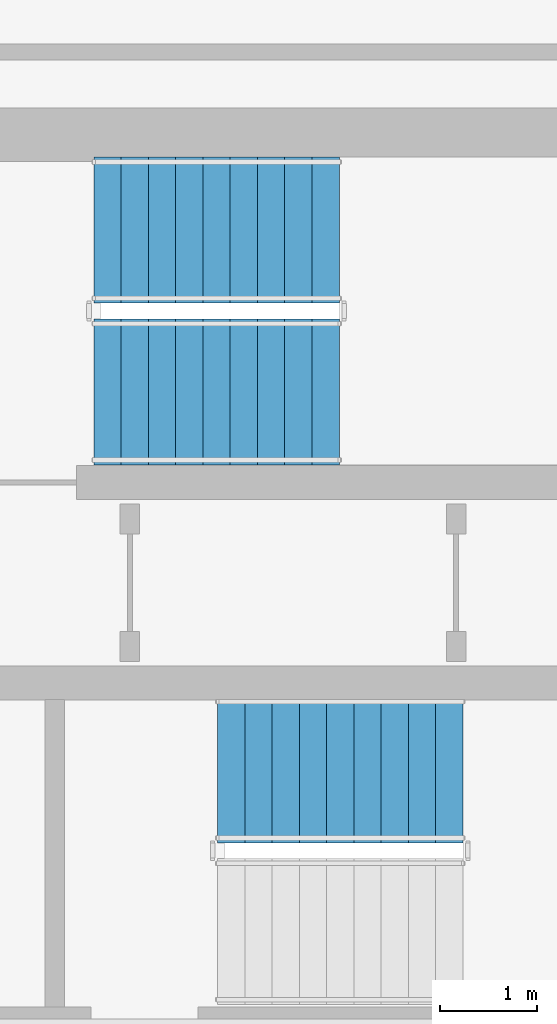
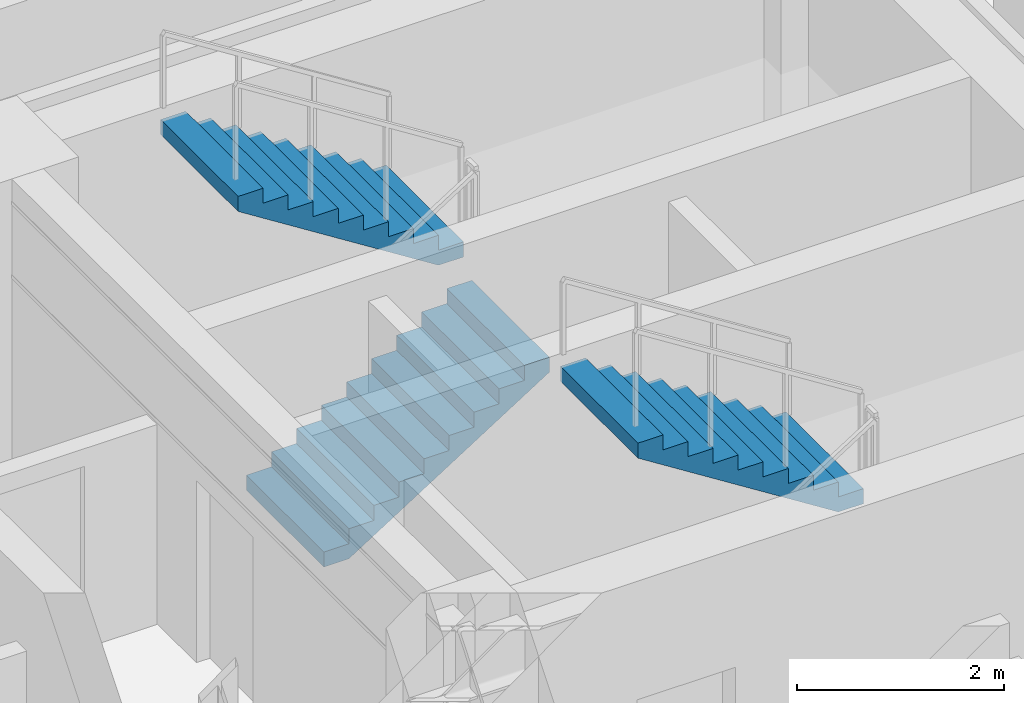
# One storey, part 9 of 12: 3 stair flights, 2 elements without a shape of their own.
"""IFC4 building model written with IfcOpenShell, lengths in metres."""

import ifcopenshell
import ifcopenshell.guid

model = None  # the IFC model being written
_history = None  # IfcOwnerHistory: only IFC2X3 demands one
_inside = {}  # id of a spatial element -> (the spatial element, [elements in it])
_under = {}  # id of a project, library or spatial element -> (it, [spatial elements below it])
_declared = {}  # id of a project -> (the project, [libraries it declares])
_typed = {}  # id of a type object -> (the type object, [elements of that type])
_made_of = {}  # id of a material, layer set ... -> (it, [elements and type objects made of it])


def new_model(schema):
    """Start an empty IFC model of exactly this schema.

    Asked for "IFC4X3", IfcOpenShell would pick the latest addendum, in which some entities
    have other attributes; the version numbers below select the first issue.
    IFC2X3 requires an IfcOwnerHistory on every rooted entity: one is made here for all.
    """
    global model, _history
    if schema == "IFC4X3":
        model = ifcopenshell.file(schema_version=(4, 3, 0, 0))
    else:
        model = ifcopenshell.file(schema=schema)
    _inside.clear()
    _under.clear()
    _declared.clear()
    _typed.clear()
    _made_of.clear()
    _history = None
    if model.schema == "IFC2X3":
        org = make("IfcOrganization", Name="unknown")
        user = make(
            "IfcPersonAndOrganization",
            ThePerson=make("IfcPerson", FamilyName="unknown"),
            TheOrganization=org,
        )
        app = make(
            "IfcApplication",
            ApplicationDeveloper=org,
            Version="unknown",
            ApplicationFullName="unknown",
            ApplicationIdentifier="unknown",
        )
        _history = make(
            "IfcOwnerHistory",
            OwningUser=user,
            OwningApplication=app,
            ChangeAction="ADDED",
            CreationDate=0,
        )
    return model


def make(cls, **values):
    """One entity of the class cls with the attributes given. An attribute that is None is left unset."""
    return model.create_entity(
        cls, **{name: value for name, value in values.items() if value is not None}
    )


def rooted(cls, **values):
    """An entity with a GlobalId (a new one), such as an element, a storey or a relation."""
    return make(cls, GlobalId=ifcopenshell.guid.new(), OwnerHistory=_history, **values)


def si_unit(unit_type, name, prefix=None):
    """IfcSIUnit, for example si_unit("LENGTHUNIT", "METRE", prefix="MILLI")."""
    return make("IfcSIUnit", UnitType=unit_type, Prefix=prefix, Name=name)


def assignment(units):
    """IfcUnitAssignment: the units of a project."""
    return None if units is None else make("IfcUnitAssignment", Units=units)


def point(xyz):
    """IfcCartesianPoint."""
    return None if xyz is None else make("IfcCartesianPoint", Coordinates=xyz)


def direction(xyz):
    """IfcDirection."""
    return None if xyz is None else make("IfcDirection", DirectionRatios=xyz)


def frame(location, z_axis=None, x_axis=None):
    """IfcAxis2Placement3D, a coordinate frame: its origin and axes. An axis left out is left unset."""
    return make(
        "IfcAxis2Placement3D",
        Location=point(location),
        Axis=direction(z_axis),
        RefDirection=direction(x_axis),
    )


def origin():
    """The frame at (0, 0, 0) with its axes left unset."""
    return frame((0.0, 0.0, 0.0))


def place(relative_to, where):
    """IfcLocalPlacement: puts the frame where relative to a parent placement (None: the world)."""
    return make(
        "IfcLocalPlacement", PlacementRelTo=relative_to, RelativePlacement=where
    )


def context(
    kind, dimensions, precision=None, world=None, true_north=None, identifier=None
):
    """IfcGeometricRepresentationContext, for example the 3D "Model" context."""
    return make(
        "IfcGeometricRepresentationContext",
        ContextIdentifier=identifier,
        ContextType=kind,
        CoordinateSpaceDimension=dimensions,
        Precision=precision,
        WorldCoordinateSystem=world,
        TrueNorth=true_north,
    )


def subcontext(parent, identifier, kind, view, scale=None):
    """IfcGeometricRepresentationSubContext, for example "Body" below "Model"."""
    return make(
        "IfcGeometricRepresentationSubContext",
        ContextIdentifier=identifier,
        ContextType=kind,
        ParentContext=parent,
        TargetScale=scale,
        TargetView=view,
    )


def project(units=None, contexts=None):
    """IfcProject with its units and contexts."""
    return rooted(
        "IfcProject",
        Name="project",
        RepresentationContexts=contexts,
        UnitsInContext=assignment(units),
    )


def spatial(cls, under=None, at=None, **own):
    """A site, building, storey or space (cls), placed at a placement, below another one or the project."""
    s = rooted(cls, ObjectPlacement=at, **own)
    if under is not None:
        _under.setdefault(under.id(), (under, []))[1].append(s)
    return s


def polyline(points):
    """IfcPolyline through the points."""
    return make("IfcPolyline", Points=[point(p) for p in points])


def outline(outer, holes=None, kind="AREA"):
    """IfcArbitraryClosedProfileDef: a profile drawn as a closed curve; with holes, ...WithVoids."""
    if holes is None:
        return make("IfcArbitraryClosedProfileDef", ProfileType=kind, OuterCurve=outer)
    return make(
        "IfcArbitraryProfileDefWithVoids",
        ProfileType=kind,
        OuterCurve=outer,
        InnerCurves=holes,
    )


def extrude(swept, where, along, depth):
    """IfcExtrudedAreaSolid: the profile swept, set in the frame where, extruded along a direction by depth."""
    return make(
        "IfcExtrudedAreaSolid",
        SweptArea=swept,
        Position=where,
        ExtrudedDirection=direction(along),
        Depth=depth,
    )


def shape(context_of_items, identifier, shape_type, items):
    """IfcShapeRepresentation: the items that make up one representation, for example the "Body"."""
    return make(
        "IfcShapeRepresentation",
        ContextOfItems=context_of_items,
        RepresentationIdentifier=identifier,
        RepresentationType=shape_type,
        Items=items,
    )


def material(Name=None, Category=None):
    """IfcMaterial."""
    return make("IfcMaterial", Name=Name, Category=Category)


def layer(
    of_material, thickness, ventilated=None, Name=None, Category=None, Priority=None
):
    """IfcMaterialLayer: one layer of a wall or slab, of a material (None: an air gap)."""
    return make(
        "IfcMaterialLayer",
        Material=of_material,
        LayerThickness=thickness,
        IsVentilated=ventilated,
        Name=Name,
        Category=Category,
        Priority=Priority,
    )


def layer_set(layers, Name=None):
    """IfcMaterialLayerSet."""
    return make("IfcMaterialLayerSet", MaterialLayers=layers, LayerSetName=Name)


def made_of(thing, what):
    """Note that an element or type object is made of a material, layer set ...; save() writes the relation."""
    if what is not None:
        _made_of.setdefault(what.id(), (what, []))[1].append(thing)
    return thing


def type_object(cls, material=None, **own):
    """A type object (cls), such as IfcWallType, which elements share."""
    return made_of(rooted(cls, **own), material)


def element(
    cls,
    number,
    at=None,
    inside=None,
    cuts=None,
    type_object=None,
    material=None,
    context=None,
    identifier="Body",
    shape_type=None,
    held_by="IfcProductDefinitionShape",
    body=None,
    shapes=None,
    **own,
):
    """One element of the class cls, such as IfcWall. Its Tag is "e" and its number.

    at: its placement. inside: the storey or other place that contains it. cuts: it is an
    opening in that element (IfcRelVoidsElement). A single representation is given by context,
    identifier, shape_type and body (its items); several are given by shapes. held_by: the class
    of the entity that holds the representations. save() writes the other relations.
    """
    e = rooted(cls, Tag="e%d" % number, ObjectPlacement=at, **own)
    if body is not None:
        shapes = [shape(context, identifier, shape_type, body)]
    if shapes is not None:
        e.Representation = make(held_by, Representations=shapes)
    if inside is not None:
        _inside.setdefault(inside.id(), (inside, []))[1].append(e)
    if cuts is not None:
        rooted(
            "IfcRelVoidsElement", RelatingBuildingElement=cuts, RelatedOpeningElement=e
        )
    if type_object is not None:
        _typed.setdefault(type_object.id(), (type_object, []))[1].append(e)
    return made_of(e, material)


def aggregate(whole, parts):
    """IfcRelAggregates: a whole, such as a stair, and the parts it consists of."""
    return rooted("IfcRelAggregates", RelatingObject=whole, RelatedObjects=parts)


def save(model, path):
    """Write the relations noted so far, then the file.

    IfcRelAggregates (storeys below a building ...), IfcRelContainedInSpatialStructure (elements
    in a storey), IfcRelDefinesByType, IfcRelAssociatesMaterial and IfcRelDeclares: one each for
    every whole, place, type object, material and project.
    """
    for whole, parts in _under.values():
        aggregate(whole, parts)
    for where, things in _inside.values():
        rooted(
            "IfcRelContainedInSpatialStructure",
            RelatedElements=things,
            RelatingStructure=where,
        )
    for kind, things in _typed.values():
        rooted("IfcRelDefinesByType", RelatedObjects=things, RelatingType=kind)
    for what, things in _made_of.values():
        rooted("IfcRelAssociatesMaterial", RelatedObjects=things, RelatingMaterial=what)
    for by, libraries in _declared.values():
        rooted("IfcRelDeclares", RelatingContext=by, RelatedDefinitions=libraries)
    model.write(path)


model = new_model("IFC4")

# Units and contexts
model_context = context("Model", 3, precision=1e-05, world=origin(), true_north=direction((0.0, 1.0)))
body_context = subcontext(model_context, "Body", "Model", "MODEL_VIEW")
ifc_project = project(units=[si_unit("LENGTHUNIT", "METRE"), si_unit("AREAUNIT", "SQUARE_METRE"), si_unit("VOLUMEUNIT", "CUBIC_METRE"), si_unit("PLANEANGLEUNIT", "RADIAN"), si_unit("MASSUNIT", "GRAM", prefix="KILO")], contexts=[model_context])

# Site, building, storey
site_placement = place(None, origin())
site = spatial("IfcSite", under=ifc_project, at=site_placement, CompositionType="ELEMENT")
building_placement = place(site_placement, origin())
building = spatial("IfcBuilding", under=site, at=building_placement, Name="Zarnavel Station Tower", CompositionType="ELEMENT")
storey_placement = place(building_placement, frame((0.0, 0.0, 159.0)))
storey = spatial("IfcBuildingStorey", under=building, at=storey_placement, Name="L43", CompositionType="ELEMENT", Elevation=159.0)

# Stair, stair flights
ifc_material_1 = material(Name="Concrete C45/55", Category="concrete")
stair_type = type_object("IfcStairType", Name="ST_CORE_150", PredefinedType="HALF_TURN_STAIR", material=ifc_material_1)
stair_1_placement = place(storey_placement, origin())
stair_1 = element("IfcStair", 1, at=stair_1_placement, inside=storey, type_object=stair_type, Name="L43 Core Exit Stair ST2", PredefinedType="HALF_TURN_STAIR")
ifc_material_2 = material(Name="Concrete C45/55", Category="concrete")
ifc_layer = layer(ifc_material_2, 0.179931640625)
ifc_layer_set = layer_set([ifc_layer], Name="ST_CORE_150_FLT")
stair_flight_type = type_object("IfcStairFlightType", Name="ST_CORE_150_FLT", PredefinedType="STRAIGHT", material=ifc_layer_set)
stair_flight_1_placement = place(storey_placement, frame((38.080078125, 34.409912109375, 0.0), z_axis=(0.0, 0.0, 1.0), x_axis=(1.0, 0.0, 0.0)))
stair_flight_1 = element("IfcStairFlight", 2, at=stair_flight_1_placement, type_object=stair_flight_type, Name="ST2 flight 1", NumberOfRisers=10, NumberOfTreads=9, PredefinedType="STRAIGHT", RiserHeight=0.1775, TreadLength=0.28, context=body_context, shape_type="SweptSolid", body=[
    extrude(outline(polyline([(0.0, 0.0), (0.0, 0.177490234375), (0.280029296875, 0.177490234375), (0.280029296875, 0.35498046875), (0.56005859375, 0.35498046875), (0.56005859375, 0.532470703125), (0.840087890625, 0.532470703125), (0.840087890625, 0.7099609375), (1.1201171875, 0.7099609375), (1.1201171875, 0.887451171875), (1.39990234375, 0.887451171875), (1.39990234375, 1.06494140625), (1.679931640625, 1.06494140625), (1.679931640625, 1.242431640625), (1.9599609375, 1.242431640625), (1.9599609375, 1.419921875), (2.239990234375, 1.419921875), (2.239990234375, 1.597412109375), (2.52001953125, 1.597412109375), (2.52001953125, 1.77490234375), (2.52001953125, 1.419921875), (0.280029296875, 0.0), (0.0, 0.0)])), frame((0.0, 0.75, 0.0), z_axis=(0.0, -1.0, 0.0), x_axis=(1.0, 0.0, 0.0)), (0.0, 0.0, 1.0), 1.5),
])
stair_flight_2_placement = place(storey_placement, frame((40.60009765625, 36.070068359375, 1.77490234375), z_axis=(0.0, 0.0, 1.0), x_axis=(-1.0, 0.0, 0.0)))
stair_flight_2 = element("IfcStairFlight", 3, at=stair_flight_2_placement, type_object=stair_flight_type, Name="ST2 flight 2", NumberOfRisers=10, NumberOfTreads=9, PredefinedType="STRAIGHT", RiserHeight=0.1775, TreadLength=0.28, context=body_context, shape_type="SweptSolid", body=[
    extrude(outline(polyline([(0.0, 0.0), (0.0, 0.177490234375), (0.280029296875, 0.177490234375), (0.280029296875, 0.35498046875), (0.56005859375, 0.35498046875), (0.56005859375, 0.532470703125), (0.840087890625, 0.532470703125), (0.840087890625, 0.7099609375), (1.1201171875, 0.7099609375), (1.1201171875, 0.887451171875), (1.39990234375, 0.887451171875), (1.39990234375, 1.06494140625), (1.679931640625, 1.06494140625), (1.679931640625, 1.242431640625), (1.9599609375, 1.242431640625), (1.9599609375, 1.419921875), (2.239990234375, 1.419921875), (2.239990234375, 1.597412109375), (2.52001953125, 1.597412109375), (2.52001953125, 1.77490234375), (2.52001953125, 1.419921875), (0.280029296875, 0.0), (0.0, 0.0)])), frame((0.0, 0.75, 0.0), z_axis=(0.0, -1.0, 0.0), x_axis=(1.0, 0.0, 0.0)), (0.0, 0.0, 1.0), 1.5),
])
aggregate(stair_1, [stair_flight_1, stair_flight_2])

# Stair, stair flight
stair_2_placement = place(storey_placement, origin())
stair_2 = element("IfcStair", 4, at=stair_2_placement, inside=storey, type_object=stair_type, Name="L43 Core Exit Stair ST3", PredefinedType="HALF_TURN_STAIR")
stair_flight_3_placement = place(storey_placement, frame((41.8701171875, 30.530029296875, 1.77490234375), z_axis=(0.0, 0.0, 1.0), x_axis=(-1.0, 0.0, 0.0)))
stair_flight_3 = element("IfcStairFlight", 5, at=stair_flight_3_placement, type_object=stair_flight_type, Name="ST3 flight 2", NumberOfRisers=10, NumberOfTreads=9, PredefinedType="STRAIGHT", RiserHeight=0.1775, TreadLength=0.28, context=body_context, shape_type="SweptSolid", body=[
    extrude(outline(polyline([(0.0, 0.0), (0.0, 0.177490234375), (0.280029296875, 0.177490234375), (0.280029296875, 0.35498046875), (0.56005859375, 0.35498046875), (0.56005859375, 0.532470703125), (0.840087890625, 0.532470703125), (0.840087890625, 0.7099609375), (1.1201171875, 0.7099609375), (1.1201171875, 0.887451171875), (1.39990234375, 0.887451171875), (1.39990234375, 1.06494140625), (1.679931640625, 1.06494140625), (1.679931640625, 1.242431640625), (1.9599609375, 1.242431640625), (1.9599609375, 1.419921875), (2.239990234375, 1.419921875), (2.239990234375, 1.597412109375), (2.52001953125, 1.597412109375), (2.52001953125, 1.77490234375), (2.52001953125, 1.419921875), (0.280029296875, 0.0), (0.0, 0.0)])), frame((0.0, 0.75, 0.0), z_axis=(0.0, -1.0, 0.0), x_axis=(1.0, 0.0, 0.0)), (0.0, 0.0, 1.0), 1.5),
])
aggregate(stair_2, [stair_flight_3])

save(model, "model.ifc")
